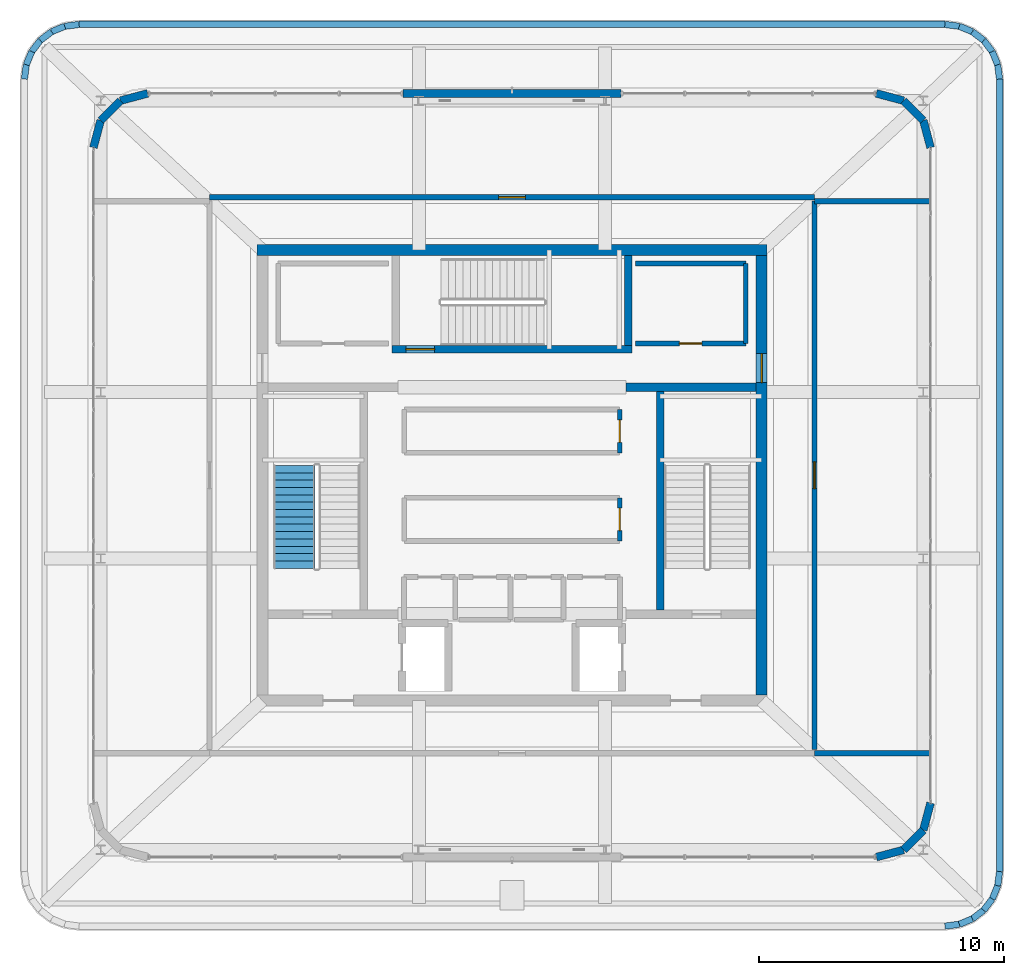
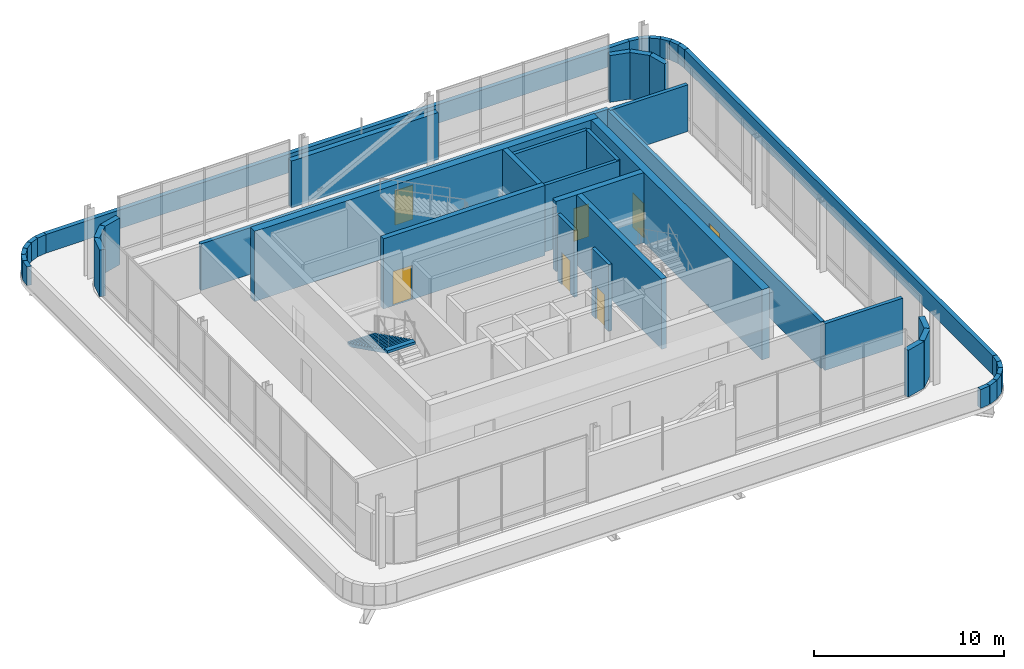
# One storey, part 24 of 28: 45 walls, 7 doors, 1 stair flight, 7 openings, 1 element without a shape of its own.
"""IFC4 building model written with IfcOpenShell, lengths in metres."""

from ifc_helpers import new_model, si_unit, direction, frame, frame_2d, origin, place, context, subcontext, project, spatial, polyline, rectangle, outline, extrude, material, layer, layer_set, type_object, element, fill, aggregate, save


model = new_model("IFC4")

# Units and contexts
model_context = context("Model", 3, precision=1e-05, world=origin(), true_north=direction((0.0, 1.0)))
body_context = subcontext(model_context, "Body", "Model", "MODEL_VIEW")
ifc_project = project(units=[si_unit("LENGTHUNIT", "METRE"), si_unit("AREAUNIT", "SQUARE_METRE"), si_unit("VOLUMEUNIT", "CUBIC_METRE"), si_unit("PLANEANGLEUNIT", "RADIAN"), si_unit("MASSUNIT", "GRAM", prefix="KILO")], contexts=[model_context])

# Site, building, storey
site_placement = place(None, origin())
site = spatial("IfcSite", under=ifc_project, at=site_placement, CompositionType="ELEMENT")
building_placement = place(site_placement, origin())
building = spatial("IfcBuilding", under=site, at=building_placement, Name="Punatoya Terracotta Tower", CompositionType="ELEMENT")
storey_placement = place(building_placement, frame((0.0, 0.0, 352.800048828125)))
storey = spatial("IfcBuildingStorey", under=building, at=storey_placement, Name="L83", CompositionType="ELEMENT", Elevation=352.800048828125)

# Wall
ifc_material_1 = material(Name="Concrete C50/60", Category="concrete")
ifc_layer_1 = layer(ifc_material_1, 0.449951171875)
ifc_layer_set_1 = layer_set([ifc_layer_1], Name="Concrete C50/60")
wall_type_1 = type_object("IfcWallType", Name="WL-COR-450", PredefinedType="SHEAR", material=ifc_layer_set_1)
wall_1_placement = place(storey_placement, frame((-10.425048828125, 9.199951171875, 0.0), z_axis=(0.0, 0.0, 1.0), x_axis=(1.0, 0.0, 0.0)))
element("IfcWall", 1, at=wall_1_placement, inside=storey, type_object=wall_type_1, Name="L83 Core Shear Wall N", PredefinedType="SHEAR", context=body_context, shape_type="SweptSolid", body=[
    extrude(rectangle(XDim=20.85009765625, YDim=0.449951171875, at=frame_2d((10.425048828125, 0.0))), origin(), (0.0, 0.0, 1.0), 4.5),
])

# Wall, opening, door
wall_2_placement = place(storey_placement, frame((10.199951171875, 8.97509765625, 0.0), z_axis=(0.0, 0.0, 1.0), x_axis=(0.0, -1.0, 0.0)))
wall_2 = element("IfcWall", 2, at=wall_2_placement, inside=storey, type_object=wall_type_1, Name="L83 Core Shear Wall E", PredefinedType="SHEAR", context=body_context, shape_type="SweptSolid", body=[
    extrude(rectangle(XDim=17.9501953125, YDim=0.449951171875, at=frame_2d((8.97509765625, 0.0))), origin(), (0.0, 0.0, 1.0), 4.5),
])
opening_1_placement = place(wall_2_placement, frame((4.0048828125, 0.0, 0.0)))
opening_1 = element("IfcOpeningElement", 3, at=opening_1_placement, cuts=wall_2, Name="Opening SD-01", PredefinedType="OPENING", context=body_context, shape_type="SweptSolid", body=[
    extrude(rectangle(XDim=1.179931640625, YDim=2.199951171875, at=frame_2d((0.58984375, 1.10009765625))), frame((0.0, 0.23486328125, 0.0), z_axis=(0.0, -1.0, 0.0), x_axis=(1.0, 0.0, 0.0)), (0.0, 0.0, 1.0), 0.469970703125),
])
ifc_material_2 = material(Name="Galvanised Steel Pressurized Stair Fire Door", Category="steel")
door_type_1 = type_object("IfcDoorType", Name="DR-STR-1180", OperationType="NOTDEFINED", PredefinedType="DOOR", material=ifc_material_2)
door_1_placement = place(opening_1_placement, origin())
door_1 = element("IfcDoor", 4, at=door_1_placement, inside=storey, type_object=door_type_1, Name="L83 Central Lift Lobby East Fire Door", OperationType="SINGLE_SWING_RIGHT", OverallHeight=2.199951171875, OverallWidth=1.179931640625, PredefinedType="DOOR", context=body_context, shape_type="SweptSolid", body=[
    extrude(rectangle(XDim=1.179931640625, YDim=2.199951171875, at=frame_2d((0.58984375, 1.10009765625))), frame((0.0, 0.02490234375, 0.0), z_axis=(0.0, -1.0, 0.0), x_axis=(1.0, 0.0, 0.0)), (0.0, 0.0, 1.0), 0.050048828125),
])
fill(opening_1, door_1)

# Walls
ifc_material_3 = material(Name="Precast concrete C40/50", Category="concrete")
ifc_layer_2 = layer(ifc_material_3, 0.320068359375)
ifc_layer_set_2 = layer_set([ifc_layer_2], Name="Precast concrete C40/50")
wall_type_2 = type_object("IfcWallType", Name="WL-EXT-320", PredefinedType="SOLIDWALL", material=ifc_layer_set_2)
wall_3_placement = place(storey_placement, frame((14.886962890625, -15.60009765625, 0.0), z_axis=(0.0, 0.0, 1.0), x_axis=(0.966270139534, 0.257530614576, 0.0)))
element("IfcWall", 5, at=wall_3_placement, inside=storey, type_object=wall_type_2, Name="L83 Rounded Terracotta Corner Pier 02", PredefinedType="SOLIDWALL", context=body_context, shape_type="SweptSolid", body=[
    extrude(rectangle(XDim=1.15087890625, YDim=0.320068359375, at=frame_2d((0.575439453125, 0.0))), origin(), (0.0, 0.0, 1.0), 2.993896484375),
])
wall_4_placement = place(storey_placement, frame((15.9990234375, -15.3037109375, 0.0), z_axis=(0.0, 0.0, 1.0), x_axis=(0.707106781187, 0.707106781187, 0.0)))
element("IfcWall", 6, at=wall_4_placement, inside=storey, type_object=wall_type_2, Name="L83 Rounded Terracotta Corner Pier 03", PredefinedType="SOLIDWALL", context=body_context, shape_type="SweptSolid", body=[
    extrude(rectangle(XDim=1.137939453125, YDim=0.320068359375, at=frame_2d((0.56884765625, 0.0))), origin(), (0.0, 0.0, 1.0), 2.993896484375),
])
for number, where, z_axis, x_axis, name in (
    (7, (16.8037109375, -14.4990234375, 0.0), (0.0, 0.0, 1.0), (0.257530614576, 0.966270139534, 0.0), "L83 Rounded Terracotta Corner Pier 04"),
    (8, (17.10009765625, 13.386962890625, 0.0), (0.0, 0.0, 1.0), (-0.257530614576, 0.966270139534, 0.0), "L83 Rounded Terracotta Corner Pier 06"),
):
    element("IfcWall", number, at=place(storey_placement, frame(where, z_axis=z_axis, x_axis=x_axis)), inside=storey, type_object=wall_type_2, Name=name, PredefinedType="SOLIDWALL", context=body_context, shape_type="SweptSolid", body=[
        extrude(rectangle(XDim=1.15087890625, YDim=0.320068359375, at=frame_2d((0.575439453125, 0.0))), origin(), (0.0, 0.0, 1.0), 2.993896484375),
    ])
wall_5_placement = place(storey_placement, frame((16.8037109375, 14.4990234375, 0.0), z_axis=(0.0, 0.0, 1.0), x_axis=(-0.707106781187, 0.707106781187, 0.0)))
element("IfcWall", 9, at=wall_5_placement, inside=storey, type_object=wall_type_2, Name="L83 Rounded Terracotta Corner Pier 07", PredefinedType="SOLIDWALL", context=body_context, shape_type="SweptSolid", body=[
    extrude(rectangle(XDim=1.137939453125, YDim=0.320068359375, at=frame_2d((0.56884765625, 0.0))), origin(), (0.0, 0.0, 1.0), 2.993896484375),
])
wall_6_placement = place(storey_placement, frame((15.9990234375, 15.3037109375, 0.0), z_axis=(0.0, 0.0, 1.0), x_axis=(-0.966270139534, 0.257530614576, 0.0)))
element("IfcWall", 10, at=wall_6_placement, inside=storey, type_object=wall_type_2, Name="L83 Rounded Terracotta Corner Pier 08", PredefinedType="SOLIDWALL", context=body_context, shape_type="SweptSolid", body=[
    extrude(rectangle(XDim=1.15087890625, YDim=0.320068359375, at=frame_2d((0.575439453125, 0.0))), origin(), (0.0, 0.0, 1.0), 2.993896484375),
])
wall_7_placement = place(storey_placement, frame((4.449951171875, 15.60009765625, 0.0), z_axis=(0.0, 0.0, 1.0), x_axis=(-1.0, 0.0, 0.0)))
element("IfcWall", 11, at=wall_7_placement, inside=storey, type_object=wall_type_2, Name="L83 Terracotta Braced Facade Wall N1", PredefinedType="SOLIDWALL", context=body_context, shape_type="SweptSolid", body=[
    extrude(rectangle(XDim=8.89990234375, YDim=0.320068359375, at=frame_2d((4.449951171875, 0.0))), origin(), (0.0, 0.0, 1.0), 2.993896484375),
])
wall_8_placement = place(storey_placement, frame((-14.886962890625, 15.60009765625, 0.0), z_axis=(0.0, 0.0, 1.0), x_axis=(-0.966270139534, -0.257530614576, 0.0)))
element("IfcWall", 12, at=wall_8_placement, inside=storey, type_object=wall_type_2, Name="L83 Rounded Terracotta Corner Pier 10", PredefinedType="SOLIDWALL", context=body_context, shape_type="SweptSolid", body=[
    extrude(rectangle(XDim=1.15087890625, YDim=0.320068359375, at=frame_2d((0.575439453125, 0.0))), origin(), (0.0, 0.0, 1.0), 2.993896484375),
])
wall_9_placement = place(storey_placement, frame((-15.9990234375, 15.3037109375, 0.0), z_axis=(0.0, 0.0, 1.0), x_axis=(-0.707106781187, -0.707106781187, 0.0)))
element("IfcWall", 13, at=wall_9_placement, inside=storey, type_object=wall_type_2, Name="L83 Rounded Terracotta Corner Pier 11", PredefinedType="SOLIDWALL", context=body_context, shape_type="SweptSolid", body=[
    extrude(rectangle(XDim=1.137939453125, YDim=0.320068359375, at=frame_2d((0.56884765625, 0.0))), origin(), (0.0, 0.0, 1.0), 2.993896484375),
])
wall_10_placement = place(storey_placement, frame((-16.8037109375, 14.4990234375, 0.0), z_axis=(0.0, 0.0, 1.0), x_axis=(-0.257530614576, -0.966270139534, 0.0)))
element("IfcWall", 14, at=wall_10_placement, inside=storey, type_object=wall_type_2, Name="L83 Rounded Terracotta Corner Pier 12", PredefinedType="SOLIDWALL", context=body_context, shape_type="SweptSolid", body=[
    extrude(rectangle(XDim=1.15087890625, YDim=0.320068359375, at=frame_2d((0.575439453125, 0.0))), origin(), (0.0, 0.0, 1.0), 2.993896484375),
])
ifc_material_4 = material(Name="Concrete C40/50", Category="concrete")
ifc_layer_3 = layer(ifc_material_4, 0.219970703125)
ifc_layer_set_3 = layer_set([ifc_layer_3], Name="Concrete C40/50")
wall_type_3 = type_object("IfcWallType", Name="WL-FIR-220", PredefinedType="SOLIDWALL", material=ifc_layer_set_3)
wall_11_placement = place(storey_placement, frame((12.360107421875, -11.35009765625, 0.0), z_axis=(0.0, 0.0, 1.0), x_axis=(1.0, 0.0, 0.0)))
element("IfcWall", 15, at=wall_11_placement, inside=storey, type_object=wall_type_3, Name="L83 Crown South Heat-Rejection and Cooling-Tower Plant Partition 28", PredefinedType="SOLIDWALL", context=body_context, shape_type="SweptSolid", body=[
    extrude(rectangle(XDim=4.719970703125, YDim=0.219970703125, at=frame_2d((2.35986328125, 0.0))), origin(), (0.0, 0.0, 1.0), 2.993896484375),
])

# Wall, opening, door
wall_12_placement = place(storey_placement, frame((12.360107421875, -11.199951171875, 0.0), z_axis=(0.0, 0.0, 1.0), x_axis=(0.0, 1.0, 0.0)))
wall_12 = element("IfcWall", 16, at=wall_12_placement, inside=storey, type_object=wall_type_3, Name="L83 Crown East Lift Machine and BMS Control Plant Partition 31", PredefinedType="SOLIDWALL", context=body_context, shape_type="SweptSolid", body=[
    extrude(rectangle(XDim=22.39990234375, YDim=0.219970703125, at=frame_2d((11.199951171875, 0.0))), origin(), (0.0, 0.0, 1.0), 2.993896484375),
])
opening_2_placement = place(wall_12_placement, frame((10.64990234375, 0.0, 0.0)))
opening_2 = element("IfcOpeningElement", 17, at=opening_2_placement, cuts=wall_12, Name="Opening FD-P1", PredefinedType="OPENING", context=body_context, shape_type="SweptSolid", body=[
    extrude(rectangle(XDim=1.10009765625, YDim=2.199951171875, at=frame_2d((0.550048828125, 1.10009765625))), frame((0.0, 0.119873046875, 0.0), z_axis=(0.0, -1.0, 0.0), x_axis=(1.0, 0.0, 0.0)), (0.0, 0.0, 1.0), 0.239990234375),
])
ifc_material_5 = material(Name="Galvanised Steel Plant Fire Door", Category="steel")
door_type_2 = type_object("IfcDoorType", Name="DR-PLT-1100", OperationType="NOTDEFINED", PredefinedType="DOOR", material=ifc_material_5)
door_2_placement = place(opening_2_placement, origin())
door_2 = element("IfcDoor", 18, at=door_2_placement, inside=storey, type_object=door_type_2, Name="L83 Crown East Lift Machine and BMS Control Plant Fire Door", OperationType="SINGLE_SWING_RIGHT", OverallHeight=2.199951171875, OverallWidth=1.10009765625, PredefinedType="DOOR", context=body_context, shape_type="SweptSolid", body=[
    extrude(rectangle(XDim=1.10009765625, YDim=2.199951171875, at=frame_2d((0.550048828125, 1.10009765625))), frame((0.0, 0.02490234375, 0.0), z_axis=(0.0, -1.0, 0.0), x_axis=(1.0, 0.0, 0.0)), (0.0, 0.0, 1.0), 0.050048828125),
])
fill(opening_2, door_2)

# Wall
wall_13_placement = place(storey_placement, frame((12.360107421875, 11.199951171875, 0.0), z_axis=(0.0, 0.0, 1.0), x_axis=(1.0, 0.0, 0.0)))
element("IfcWall", 19, at=wall_13_placement, inside=storey, type_object=wall_type_3, Name="L83 Crown East Lift Machine and BMS Control Plant Partition 32", PredefinedType="SOLIDWALL", context=body_context, shape_type="SweptSolid", body=[
    extrude(rectangle(XDim=4.719970703125, YDim=0.219970703125, at=frame_2d((2.35986328125, 0.0))), origin(), (0.0, 0.0, 1.0), 2.993896484375),
])

# Wall, opening, door
wall_14_placement = place(storey_placement, frame((12.360107421875, 11.360107421875, 0.0), z_axis=(0.0, 0.0, 1.0), x_axis=(-1.0, 0.0, 0.0)))
wall_14 = element("IfcWall", 20, at=wall_14_placement, inside=storey, type_object=wall_type_3, Name="L83 Crown North Standby Power and Booster Pump Plant Partition 33", PredefinedType="SOLIDWALL", context=body_context, shape_type="SweptSolid", body=[
    extrude(rectangle(XDim=24.72021484375, YDim=0.219970703125, at=frame_2d((12.360107421875, 0.0))), origin(), (0.0, 0.0, 1.0), 2.993896484375),
])
opening_3_placement = place(wall_14_placement, frame((11.81005859375, 0.0, 0.0)))
opening_3 = element("IfcOpeningElement", 21, at=opening_3_placement, cuts=wall_14, Name="Opening FD-P1", PredefinedType="OPENING", context=body_context, shape_type="SweptSolid", body=[
    extrude(rectangle(XDim=1.10009765625, YDim=2.199951171875, at=frame_2d((0.550048828125, 1.10009765625))), frame((0.0, 0.119873046875, 0.0), z_axis=(0.0, -1.0, 0.0), x_axis=(1.0, 0.0, 0.0)), (0.0, 0.0, 1.0), 0.239990234375),
])
door_3_placement = place(opening_3_placement, origin())
door_3 = element("IfcDoor", 22, at=door_3_placement, inside=storey, type_object=door_type_2, Name="L83 Crown North Standby Power and Booster Pump Plant Fire Door", OperationType="SINGLE_SWING_LEFT", OverallHeight=2.199951171875, OverallWidth=1.10009765625, PredefinedType="DOOR", context=body_context, shape_type="SweptSolid", body=[
    extrude(rectangle(XDim=1.10009765625, YDim=2.199951171875, at=frame_2d((0.550048828125, 1.10009765625))), frame((0.0, 0.02490234375, 0.0), z_axis=(0.0, -1.0, 0.0), x_axis=(1.0, 0.0, 0.0)), (0.0, 0.0, 1.0), 0.050048828125),
])
fill(opening_3, door_3)

ifc_layer_4 = layer(ifc_material_4, 0.199951171875)
ifc_layer_set_4 = layer_set([ifc_layer_4], Name="Concrete C40/50")
wall_type_4 = type_object("IfcWallType", Name="WL-INT-200", PredefinedType="SOLIDWALL", material=ifc_layer_set_4)
wall_15_placement = place(storey_placement, frame((4.39990234375, -2.679931640625, 0.0), z_axis=(0.0, 0.0, 1.0), x_axis=(0.0, 1.0, 0.0)))
wall_15 = element("IfcWall", 23, at=wall_15_placement, inside=storey, type_object=wall_type_4, Name="L83 Crown Emergency Power Switchroom Partition 12", PredefinedType="SOLIDWALL", context=body_context, shape_type="SweptSolid", body=[
    extrude(rectangle(XDim=1.760009765625, YDim=0.199951171875, at=frame_2d((0.8798828125, 0.0))), origin(), (0.0, 0.0, 1.0), 4.280029296875),
])
opening_4_placement = place(wall_15_placement, frame((0.419921875, 0.0, 0.0)))
opening_4 = element("IfcOpeningElement", 24, at=opening_4_placement, cuts=wall_15, Name="Opening FD-R1", PredefinedType="OPENING", context=body_context, shape_type="SweptSolid", body=[
    extrude(rectangle(XDim=0.919921875, YDim=2.10009765625, at=frame_2d((0.4599609375, 1.050048828125))), frame((0.0, 0.10986328125, 0.0), z_axis=(0.0, -1.0, 0.0), x_axis=(1.0, 0.0, 0.0)), (0.0, 0.0, 1.0), 0.219970703125),
])
ifc_material_6 = material(Name="Galvanised Steel Riser Fire Access Door", Category="steel")
door_type_3 = type_object("IfcDoorType", Name="DR-RSR-920", OperationType="NOTDEFINED", PredefinedType="DOOR", material=ifc_material_6)
door_4_placement = place(opening_4_placement, origin())
door_4 = element("IfcDoor", 25, at=door_4_placement, inside=storey, type_object=door_type_3, Name="L83 Crown Emergency Power Switchroom Fire Door", OperationType="SINGLE_SWING_RIGHT", OverallHeight=2.10009765625, OverallWidth=0.919921875, PredefinedType="DOOR", context=body_context, shape_type="SweptSolid", body=[
    extrude(rectangle(XDim=0.919921875, YDim=2.10009765625, at=frame_2d((0.4599609375, 1.050048828125))), frame((0.0, 0.02490234375, 0.0), z_axis=(0.0, -1.0, 0.0), x_axis=(1.0, 0.0, 0.0)), (0.0, 0.0, 1.0), 0.050048828125),
])
fill(opening_4, door_4)

wall_16_placement = place(storey_placement, frame((4.39990234375, 0.919921875, 0.0), z_axis=(0.0, 0.0, 1.0), x_axis=(0.0, 1.0, 0.0)))
wall_16 = element("IfcWall", 26, at=wall_16_placement, inside=storey, type_object=wall_type_4, Name="L83 Crown Stair Pressurization Fan Room Partition 16", PredefinedType="SOLIDWALL", context=body_context, shape_type="SweptSolid", body=[
    extrude(rectangle(XDim=1.760009765625, YDim=0.199951171875, at=frame_2d((0.8798828125, 0.0))), origin(), (0.0, 0.0, 1.0), 4.280029296875),
])
opening_5_placement = place(wall_16_placement, frame((0.419921875, 0.0, 0.0)))
opening_5 = element("IfcOpeningElement", 27, at=opening_5_placement, cuts=wall_16, Name="Opening FD-R1", PredefinedType="OPENING", context=body_context, shape_type="SweptSolid", body=[
    extrude(rectangle(XDim=0.919921875, YDim=2.10009765625, at=frame_2d((0.4599609375, 1.050048828125))), frame((0.0, 0.10986328125, 0.0), z_axis=(0.0, -1.0, 0.0), x_axis=(1.0, 0.0, 0.0)), (0.0, 0.0, 1.0), 0.219970703125),
])
door_5_placement = place(opening_5_placement, origin())
door_5 = element("IfcDoor", 28, at=door_5_placement, inside=storey, type_object=door_type_3, Name="L83 Crown Stair Pressurization Fan Room Fire Door", OperationType="SINGLE_SWING_LEFT", OverallHeight=2.10009765625, OverallWidth=0.919921875, PredefinedType="DOOR", context=body_context, shape_type="SweptSolid", body=[
    extrude(rectangle(XDim=0.919921875, YDim=2.10009765625, at=frame_2d((0.4599609375, 1.050048828125))), frame((0.0, 0.02490234375, 0.0), z_axis=(0.0, -1.0, 0.0), x_axis=(1.0, 0.0, 0.0)), (0.0, 0.0, 1.0), 0.050048828125),
])
fill(opening_5, door_5)

# Walls
wall_17_placement = place(storey_placement, frame((9.550048828125, 5.3798828125, 0.0), z_axis=(0.0, 0.0, 1.0), x_axis=(0.0, 1.0, 0.0)))
element("IfcWall", 29, at=wall_17_placement, inside=storey, type_object=wall_type_4, Name="L83 East Duct Riser Partition 23", PredefinedType="SOLIDWALL", context=body_context, shape_type="SweptSolid", body=[
    extrude(rectangle(XDim=3.27001953125, YDim=0.199951171875, at=frame_2d((1.635009765625, 0.0))), origin(), (0.0, 0.0, 1.0), 4.280029296875),
])
wall_18_placement = place(storey_placement, frame((9.550048828125, 8.64990234375, 0.0), z_axis=(0.0, 0.0, 1.0), x_axis=(-1.0, 0.0, 0.0)))
element("IfcWall", 30, at=wall_18_placement, inside=storey, type_object=wall_type_4, Name="L83 East Duct Riser Partition 24", PredefinedType="SOLIDWALL", context=body_context, shape_type="SweptSolid", body=[
    extrude(rectangle(XDim=4.5, YDim=0.199951171875, at=frame_2d((2.25, 0.0))), origin(), (0.0, 0.0, 1.0), 4.280029296875),
])

# Wall, opening, door
wall_19_placement = place(storey_placement, frame((5.050048828125, 5.3798828125, 0.0), z_axis=(0.0, 0.0, 1.0), x_axis=(1.0, 0.0, 0.0)))
wall_19 = element("IfcWall", 31, at=wall_19_placement, inside=storey, type_object=wall_type_4, Name="L83 East Duct Riser Partition 25", PredefinedType="SOLIDWALL", context=body_context, shape_type="SweptSolid", body=[
    extrude(rectangle(XDim=4.5, YDim=0.199951171875, at=frame_2d((2.25, 0.0))), origin(), (0.0, 0.0, 1.0), 4.280029296875),
])
opening_6_placement = place(wall_19_placement, frame((1.7900390625, 0.0, 0.0)))
opening_6 = element("IfcOpeningElement", 32, at=opening_6_placement, cuts=wall_19, Name="Opening FD-R1", PredefinedType="OPENING", context=body_context, shape_type="SweptSolid", body=[
    extrude(rectangle(XDim=0.919921875, YDim=2.10009765625, at=frame_2d((0.4599609375, 1.050048828125))), frame((0.0, 0.10986328125, 0.0), z_axis=(0.0, -1.0, 0.0), x_axis=(1.0, 0.0, 0.0)), (0.0, 0.0, 1.0), 0.219970703125),
])
door_6_placement = place(opening_6_placement, origin())
door_6 = element("IfcDoor", 33, at=door_6_placement, inside=storey, type_object=door_type_3, Name="L83 East Duct Riser Fire Door", OperationType="SINGLE_SWING_LEFT", OverallHeight=2.10009765625, OverallWidth=0.919921875, PredefinedType="DOOR", context=body_context, shape_type="SweptSolid", body=[
    extrude(rectangle(XDim=0.919921875, YDim=2.10009765625, at=frame_2d((0.4599609375, 1.050048828125))), frame((0.0, 0.02490234375, 0.0), z_axis=(0.0, -1.0, 0.0), x_axis=(1.0, 0.0, 0.0)), (0.0, 0.0, 1.0), 0.050048828125),
])
fill(opening_6, door_6)

# Walls
ifc_layer_5 = layer(ifc_material_3, 0.260009765625)
ifc_layer_set_5 = layer_set([ifc_layer_5], Name="Precast concrete C40/50")
wall_type_5 = type_object("IfcWallType", Name="WL-PAR-260", PredefinedType="PARAPET", material=ifc_layer_set_5)
wall_20_placement = place(storey_placement, frame((17.688232421875, -18.419921875, 0.0), z_axis=(0.0, 0.0, 1.0), x_axis=(0.991443043354, 0.130540000708, 0.0)))
element("IfcWall", 34, at=wall_20_placement, inside=storey, type_object=wall_type_5, Name="L83 Roof Parapet Wall PAR-L83-STEP-01", PredefinedType="PARAPET", context=body_context, shape_type="SweptSolid", body=[
    extrude(rectangle(XDim=0.591064453125, YDim=0.260009765625, at=frame_2d((0.29541015625, 0.0))), origin(), (0.0, 0.0, 1.0), 1.199951171875),
])
wall_21_placement = place(storey_placement, frame((18.274169921875, -18.3427734375, 0.0), z_axis=(0.0, 0.0, 1.0), x_axis=(0.923960309293, 0.38248836172, 0.0)))
element("IfcWall", 35, at=wall_21_placement, inside=storey, type_object=wall_type_5, Name="L83 Roof Parapet Wall PAR-L83-STEP-02", PredefinedType="PARAPET", context=body_context, shape_type="SweptSolid", body=[
    extrude(rectangle(XDim=0.578857421875, YDim=0.260009765625, at=frame_2d((0.28955078125, 0.0))), origin(), (0.0, 0.0, 1.0), 1.199951171875),
])
for number, where, z_axis, x_axis, name in (
    (36, (18.80908203125, -18.121337890625, 0.0), (0.0, 0.0, 1.0), (0.793531744425, 0.608528857647, 0.0), "L83 Roof Parapet Wall PAR-L83-STEP-03"),
    (37, (19.268798828125, -17.768798828125, 0.0), (0.0, 0.0, 1.0), (0.608528857647, 0.793531744425, 0.0), "L83 Roof Parapet Wall PAR-L83-STEP-04"),
):
    element("IfcWall", number, at=place(storey_placement, frame(where, z_axis=z_axis, x_axis=x_axis)), inside=storey, type_object=wall_type_5, Name=name, PredefinedType="PARAPET", context=body_context, shape_type="SweptSolid", body=[
        extrude(rectangle(XDim=0.579345703125, YDim=0.260009765625, at=frame_2d((0.28955078125, 0.0))), origin(), (0.0, 0.0, 1.0), 1.199951171875),
    ])
wall_22_placement = place(storey_placement, frame((19.621337890625, -17.30908203125, 0.0), z_axis=(0.0, 0.0, 1.0), x_axis=(0.38248836172, 0.923960309293, 0.0)))
element("IfcWall", 38, at=wall_22_placement, inside=storey, type_object=wall_type_5, Name="L83 Roof Parapet Wall PAR-L83-STEP-05", PredefinedType="PARAPET", context=body_context, shape_type="SweptSolid", body=[
    extrude(rectangle(XDim=0.578857421875, YDim=0.260009765625, at=frame_2d((0.28955078125, 0.0))), origin(), (0.0, 0.0, 1.0), 1.199951171875),
])
wall_23_placement = place(storey_placement, frame((19.8427734375, -16.774169921875, 0.0), z_axis=(0.0, 0.0, 1.0), x_axis=(0.130540000708, 0.991443043354, 0.0)))
element("IfcWall", 39, at=wall_23_placement, inside=storey, type_object=wall_type_5, Name="L83 Roof Parapet Wall PAR-L83-STEP-06", PredefinedType="PARAPET", context=body_context, shape_type="SweptSolid", body=[
    extrude(rectangle(XDim=0.591064453125, YDim=0.260009765625, at=frame_2d((0.29541015625, 0.0))), origin(), (0.0, 0.0, 1.0), 1.199951171875),
])
wall_24_placement = place(storey_placement, frame((19.919921875, -16.188232421875, 0.0), z_axis=(0.0, 0.0, 1.0), x_axis=(0.0, 1.0, 0.0)))
element("IfcWall", 40, at=wall_24_placement, inside=storey, type_object=wall_type_5, Name="L83 Roof Parapet Wall PAR-L83-STEP-07", PredefinedType="PARAPET", context=body_context, shape_type="SweptSolid", body=[
    extrude(rectangle(XDim=32.37646484375, YDim=0.260009765625, at=frame_2d((16.188232421875, 0.0))), origin(), (0.0, 0.0, 1.0), 1.199951171875),
])
wall_25_placement = place(storey_placement, frame((19.919921875, 16.188232421875, 0.0), z_axis=(0.0, 0.0, 1.0), x_axis=(-0.130540000708, 0.991443043354, 0.0)))
element("IfcWall", 41, at=wall_25_placement, inside=storey, type_object=wall_type_5, Name="L83 Roof Parapet Wall PAR-L83-STEP-08", PredefinedType="PARAPET", context=body_context, shape_type="SweptSolid", body=[
    extrude(rectangle(XDim=0.591064453125, YDim=0.260009765625, at=frame_2d((0.29541015625, 0.0))), origin(), (0.0, 0.0, 1.0), 1.199951171875),
])
wall_26_placement = place(storey_placement, frame((19.8427734375, 16.774169921875, 0.0), z_axis=(0.0, 0.0, 1.0), x_axis=(-0.38248836172, 0.923960309293, 0.0)))
element("IfcWall", 42, at=wall_26_placement, inside=storey, type_object=wall_type_5, Name="L83 Roof Parapet Wall PAR-L83-STEP-09", PredefinedType="PARAPET", context=body_context, shape_type="SweptSolid", body=[
    extrude(rectangle(XDim=0.578857421875, YDim=0.260009765625, at=frame_2d((0.28955078125, 0.0))), origin(), (0.0, 0.0, 1.0), 1.199951171875),
])
for number, where, z_axis, x_axis, name in (
    (43, (19.621337890625, 17.30908203125, 0.0), (0.0, 0.0, 1.0), (-0.608528857647, 0.793531744425, 0.0), "L83 Roof Parapet Wall PAR-L83-STEP-10"),
    (44, (19.268798828125, 17.768798828125, 0.0), (0.0, 0.0, 1.0), (-0.793531744425, 0.608528857647, 0.0), "L83 Roof Parapet Wall PAR-L83-STEP-11"),
):
    element("IfcWall", number, at=place(storey_placement, frame(where, z_axis=z_axis, x_axis=x_axis)), inside=storey, type_object=wall_type_5, Name=name, PredefinedType="PARAPET", context=body_context, shape_type="SweptSolid", body=[
        extrude(rectangle(XDim=0.579345703125, YDim=0.260009765625, at=frame_2d((0.28955078125, 0.0))), origin(), (0.0, 0.0, 1.0), 1.199951171875),
    ])
wall_27_placement = place(storey_placement, frame((18.80908203125, 18.121337890625, 0.0), z_axis=(0.0, 0.0, 1.0), x_axis=(-0.923960309293, 0.38248836172, 0.0)))
element("IfcWall", 45, at=wall_27_placement, inside=storey, type_object=wall_type_5, Name="L83 Roof Parapet Wall PAR-L83-STEP-12", PredefinedType="PARAPET", context=body_context, shape_type="SweptSolid", body=[
    extrude(rectangle(XDim=0.578857421875, YDim=0.260009765625, at=frame_2d((0.28955078125, 0.0))), origin(), (0.0, 0.0, 1.0), 1.199951171875),
])
wall_28_placement = place(storey_placement, frame((18.274169921875, 18.3427734375, 0.0), z_axis=(0.0, 0.0, 1.0), x_axis=(-0.991443043354, 0.130540000708, 0.0)))
element("IfcWall", 46, at=wall_28_placement, inside=storey, type_object=wall_type_5, Name="L83 Roof Parapet Wall PAR-L83-STEP-13", PredefinedType="PARAPET", context=body_context, shape_type="SweptSolid", body=[
    extrude(rectangle(XDim=0.591064453125, YDim=0.260009765625, at=frame_2d((0.29541015625, 0.0))), origin(), (0.0, 0.0, 1.0), 1.199951171875),
])
wall_29_placement = place(storey_placement, frame((17.688232421875, 18.419921875, 0.0), z_axis=(0.0, 0.0, 1.0), x_axis=(-1.0, 0.0, 0.0)))
element("IfcWall", 47, at=wall_29_placement, inside=storey, type_object=wall_type_5, Name="L83 Roof Parapet Wall PAR-L83-STEP-14", PredefinedType="PARAPET", context=body_context, shape_type="SweptSolid", body=[
    extrude(rectangle(XDim=35.37646484375, YDim=0.260009765625, at=frame_2d((17.688232421875, 0.0))), origin(), (0.0, 0.0, 1.0), 1.199951171875),
])
wall_30_placement = place(storey_placement, frame((-17.688232421875, 18.419921875, 0.0), z_axis=(0.0, 0.0, 1.0), x_axis=(-0.991443043354, -0.130540000708, 0.0)))
element("IfcWall", 48, at=wall_30_placement, inside=storey, type_object=wall_type_5, Name="L83 Roof Parapet Wall PAR-L83-STEP-15", PredefinedType="PARAPET", context=body_context, shape_type="SweptSolid", body=[
    extrude(rectangle(XDim=0.591064453125, YDim=0.260009765625, at=frame_2d((0.29541015625, 0.0))), origin(), (0.0, 0.0, 1.0), 1.199951171875),
])
wall_31_placement = place(storey_placement, frame((-18.274169921875, 18.3427734375, 0.0), z_axis=(0.0, 0.0, 1.0), x_axis=(-0.923960309293, -0.38248836172, 0.0)))
element("IfcWall", 49, at=wall_31_placement, inside=storey, type_object=wall_type_5, Name="L83 Roof Parapet Wall PAR-L83-STEP-16", PredefinedType="PARAPET", context=body_context, shape_type="SweptSolid", body=[
    extrude(rectangle(XDim=0.578857421875, YDim=0.260009765625, at=frame_2d((0.28955078125, 0.0))), origin(), (0.0, 0.0, 1.0), 1.199951171875),
])
for number, where, z_axis, x_axis, name in (
    (50, (-18.80908203125, 18.121337890625, 0.0), (0.0, 0.0, 1.0), (-0.793531744425, -0.608528857647, 0.0), "L83 Roof Parapet Wall PAR-L83-STEP-17"),
    (51, (-19.268798828125, 17.768798828125, 0.0), (0.0, 0.0, 1.0), (-0.608528857647, -0.793531744425, 0.0), "L83 Roof Parapet Wall PAR-L83-STEP-18"),
):
    element("IfcWall", number, at=place(storey_placement, frame(where, z_axis=z_axis, x_axis=x_axis)), inside=storey, type_object=wall_type_5, Name=name, PredefinedType="PARAPET", context=body_context, shape_type="SweptSolid", body=[
        extrude(rectangle(XDim=0.579345703125, YDim=0.260009765625, at=frame_2d((0.28955078125, 0.0))), origin(), (0.0, 0.0, 1.0), 1.199951171875),
    ])
wall_32_placement = place(storey_placement, frame((-19.621337890625, 17.30908203125, 0.0), z_axis=(0.0, 0.0, 1.0), x_axis=(-0.38248836172, -0.923960309293, 0.0)))
element("IfcWall", 52, at=wall_32_placement, inside=storey, type_object=wall_type_5, Name="L83 Roof Parapet Wall PAR-L83-STEP-19", PredefinedType="PARAPET", context=body_context, shape_type="SweptSolid", body=[
    extrude(rectangle(XDim=0.578857421875, YDim=0.260009765625, at=frame_2d((0.28955078125, 0.0))), origin(), (0.0, 0.0, 1.0), 1.199951171875),
])
wall_33_placement = place(storey_placement, frame((-19.8427734375, 16.774169921875, 0.0), z_axis=(0.0, 0.0, 1.0), x_axis=(-0.130540000708, -0.991443043354, 0.0)))
element("IfcWall", 53, at=wall_33_placement, inside=storey, type_object=wall_type_5, Name="L83 Roof Parapet Wall PAR-L83-STEP-20", PredefinedType="PARAPET", context=body_context, shape_type="SweptSolid", body=[
    extrude(rectangle(XDim=0.591064453125, YDim=0.260009765625, at=frame_2d((0.29541015625, 0.0))), origin(), (0.0, 0.0, 1.0), 1.199951171875),
])
ifc_layer_6 = layer(ifc_material_4, 0.300048828125)
ifc_layer_set_6 = layer_set([ifc_layer_6], Name="Concrete C40/50")
wall_type_6 = type_object("IfcWallType", Name="WL-SHF-300", PredefinedType="SOLIDWALL", material=ifc_layer_set_6)
wall_34_placement = place(storey_placement, frame((6.050048828125, 3.449951171875, 0.0), z_axis=(0.0, 0.0, 1.0), x_axis=(0.0, -1.0, 0.0)))
element("IfcWall", 54, at=wall_34_placement, inside=storey, type_object=wall_type_6, Name="L83 Structural Stair Shaft Wall SW-ST2-W", PredefinedType="SOLIDWALL", context=body_context, shape_type="SweptSolid", body=[
    extrude(rectangle(XDim=8.949951171875, YDim=0.300048828125, at=frame_2d((4.47509765625, 0.0))), origin(), (0.0, 0.0, 1.0), 4.5),
])
wall_35_placement = place(storey_placement, frame((4.75, 8.97509765625, 0.0), z_axis=(0.0, 0.0, 1.0), x_axis=(0.0, -1.0, 0.0)))
element("IfcWall", 55, at=wall_35_placement, inside=storey, type_object=wall_type_6, Name="L83 Structural Stair Shaft Wall SW-ST3-E", PredefinedType="SOLIDWALL", context=body_context, shape_type="SweptSolid", body=[
    extrude(rectangle(XDim=3.675048828125, YDim=0.300048828125, at=frame_2d((1.83740234375, 0.0))), origin(), (0.0, 0.0, 1.0), 4.5),
])

# Wall, opening, door
wall_36_placement = place(storey_placement, frame((-4.89990234375, 5.14990234375, 0.0), z_axis=(0.0, 0.0, 1.0), x_axis=(1.0, 0.0, 0.0)))
wall_36 = element("IfcWall", 56, at=wall_36_placement, inside=storey, type_object=wall_type_6, Name="L83 Structural Stair Shaft Wall SW-ST3-S", PredefinedType="SOLIDWALL", context=body_context, shape_type="SweptSolid", body=[
    extrude(rectangle(XDim=9.7998046875, YDim=0.300048828125, at=frame_2d((4.89990234375, 0.0))), origin(), (0.0, 0.0, 1.0), 4.5),
])
opening_7_placement = place(wall_36_placement, frame((0.56005859375, 0.0, 0.0)))
opening_7 = element("IfcOpeningElement", 57, at=opening_7_placement, cuts=wall_36, Name="Opening SD-01", PredefinedType="OPENING", context=body_context, shape_type="SweptSolid", body=[
    extrude(rectangle(XDim=1.179931640625, YDim=2.199951171875, at=frame_2d((0.58984375, 1.10009765625))), frame((0.0, 0.159912109375, 0.0), z_axis=(0.0, -1.0, 0.0), x_axis=(1.0, 0.0, 0.0)), (0.0, 0.0, 1.0), 0.320068359375),
])
door_7_placement = place(opening_7_placement, origin())
door_7 = element("IfcDoor", 58, at=door_7_placement, inside=storey, type_object=door_type_1, Name="L83 Stair ST-3 Core Lobby Fire Door", OperationType="SINGLE_SWING_LEFT", OverallHeight=2.199951171875, OverallWidth=1.179931640625, PredefinedType="DOOR", context=body_context, shape_type="SweptSolid", body=[
    extrude(rectangle(XDim=1.179931640625, YDim=2.199951171875, at=frame_2d((0.58984375, 1.10009765625))), frame((0.0, 0.02490234375, 0.0), z_axis=(0.0, -1.0, 0.0), x_axis=(1.0, 0.0, 0.0)), (0.0, 0.0, 1.0), 0.050048828125),
])
fill(opening_7, door_7)

# Wall
ifc_layer_7 = layer(ifc_material_1, 0.35009765625)
ifc_layer_set_7 = layer_set([ifc_layer_7], Name="Concrete C50/60")
wall_type_7 = type_object("IfcWallType", Name="WL-SHF-350", PredefinedType="SOLIDWALL", material=ifc_layer_set_7)
wall_37_placement = place(storey_placement, frame((4.64990234375, 3.60009765625, 0.0), z_axis=(0.0, 0.0, 1.0), x_axis=(1.0, 0.0, 0.0)))
element("IfcWall", 59, at=wall_37_placement, inside=storey, type_object=wall_type_7, Name="L83 Core Web Wall CNW-R", PredefinedType="SOLIDWALL", context=body_context, shape_type="SweptSolid", body=[
    extrude(rectangle(XDim=5.3251953125, YDim=0.35009765625, at=frame_2d((2.66259765625, 0.0))), origin(), (0.0, 0.0, 1.0), 4.5),
])

# Stair, stair flight
stair_type = type_object("IfcStairType", Name="STR-CORE-1550", PredefinedType="HALF_TURN_STAIR", material=ifc_material_4)
stair_placement = place(storey_placement, origin())
stair = element("IfcStair", 60, at=stair_placement, inside=storey, type_object=stair_type, Name="L83 Protected Core Exit Stair ST-1", PredefinedType="HALF_TURN_STAIR")
stair_flight_type = type_object("IfcStairFlightType", Name="SFL-CORE-1550", PredefinedType="STRAIGHT", material=ifc_material_4)
stair_flight_placement = place(storey_placement, frame((-8.89990234375, 0.39990234375, 2.25), z_axis=(0.0, 0.0, 1.0), x_axis=(0.0, -1.0, 0.0)))
stair_flight = element("IfcStairFlight", 61, at=stair_flight_placement, type_object=stair_flight_type, Name="ST-1 flight 2", NumberOfRisers=15, NumberOfTreads=14, PredefinedType="STRAIGHT", RiserHeight=0.15, TreadLength=0.3, context=body_context, shape_type="SweptSolid", body=[
    extrude(outline(polyline([(0.0, 0.0), (0.0, 0.14990234375), (0.300048828125, 0.14990234375), (0.300048828125, 0.300048828125), (0.60009765625, 0.300048828125), (0.60009765625, 0.449951171875), (0.89990234375, 0.449951171875), (0.89990234375, 0.60009765625), (1.199951171875, 0.60009765625), (1.199951171875, 0.75), (1.5, 0.75), (1.5, 0.89990234375), (1.800048828125, 0.89990234375), (1.800048828125, 1.050048828125), (2.10009765625, 1.050048828125), (2.10009765625, 1.199951171875), (2.39990234375, 1.199951171875), (2.39990234375, 1.35009765625), (2.699951171875, 1.35009765625), (2.699951171875, 1.5), (3.0, 1.5), (3.0, 1.64990234375), (3.300048828125, 1.64990234375), (3.300048828125, 1.800048828125), (3.60009765625, 1.800048828125), (3.60009765625, 1.949951171875), (3.89990234375, 1.949951171875), (3.89990234375, 2.10009765625), (4.199951171875, 2.10009765625), (4.199951171875, 2.25), (4.199951171875, 1.932373046875), (0.335205078125, 0.0), (0.0, 0.0)])), frame((0.0, 0.85009765625, 0.0), z_axis=(0.0, -1.0, 0.0), x_axis=(1.0, 0.0, 0.0)), (0.0, 0.0, 1.0), 1.699951171875),
])
aggregate(stair, [stair_flight])

save(model, "model.ifc")
